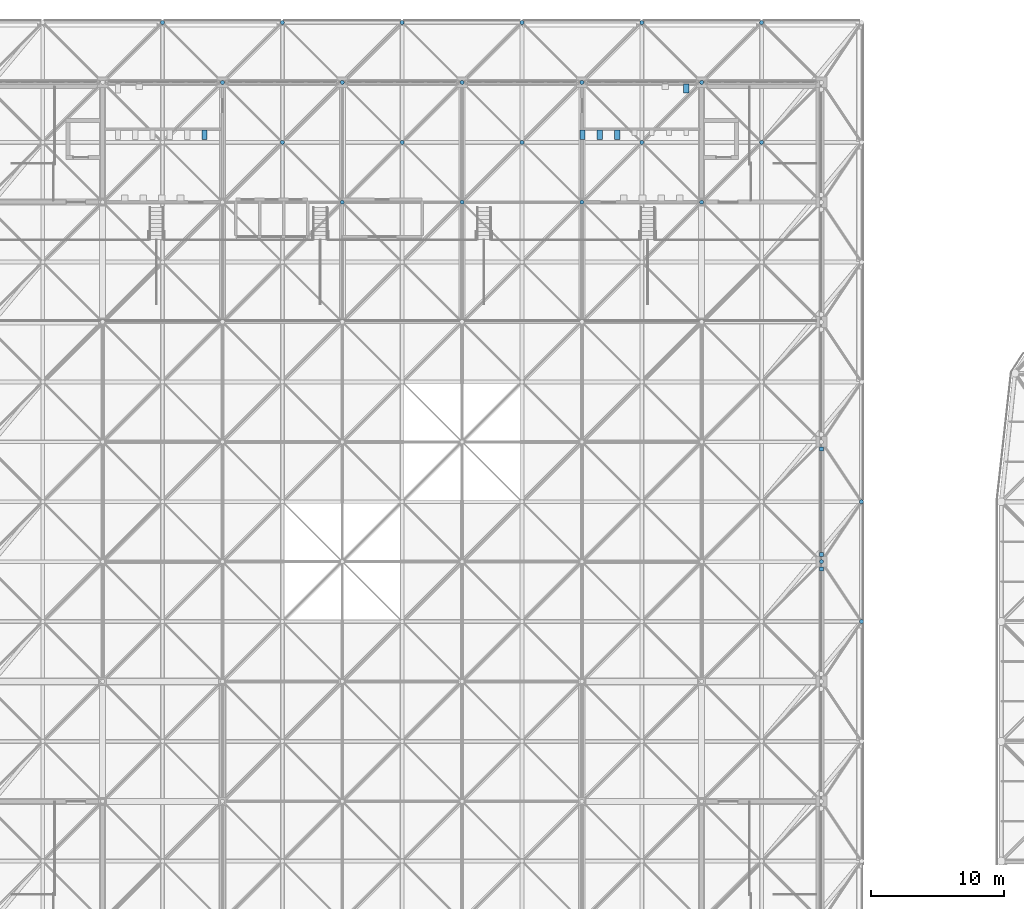
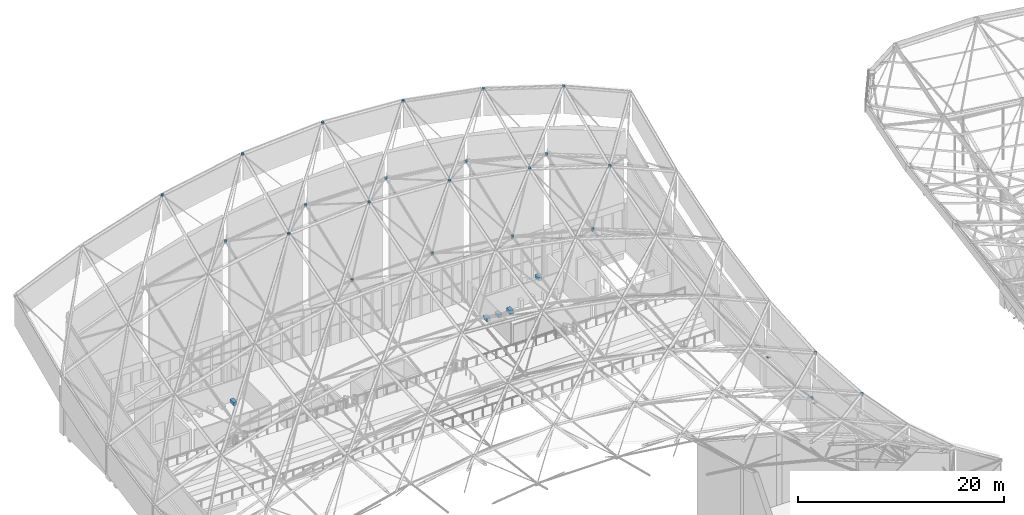
# One storey, part 381 of 437: 31 discrete accessories.
"""IFC4 building model written with IfcOpenShell, lengths in metres."""

from ifc_helpers import new_model, si_unit, direction, frame, origin, origin_2d, place, context, subcontext, project, spatial, polyline, rectangle, outline, extrude, material, layer, layer_set, type_object, element, save


model = new_model("IFC4")

# Units and contexts
model_context = context("Model", 3, precision=1e-05, world=origin(), true_north=direction((0.0, 1.0)))
body_context = subcontext(model_context, "Body", "Model", "MODEL_VIEW")
ifc_project = project(units=[si_unit("LENGTHUNIT", "METRE"), si_unit("AREAUNIT", "SQUARE_METRE"), si_unit("VOLUMEUNIT", "CUBIC_METRE"), si_unit("PLANEANGLEUNIT", "RADIAN"), si_unit("MASSUNIT", "GRAM", prefix="KILO")], contexts=[model_context])

# Site, building, storey
site_placement = place(None, origin())
site = spatial("IfcSite", under=ifc_project, at=site_placement, CompositionType="ELEMENT")
building_placement = place(site_placement, origin())
building = spatial("IfcBuilding", under=site, at=building_placement, Name="Opaline Strait Convention Centre", CompositionType="ELEMENT")
storey_placement = place(building_placement, frame((0.0, 0.0, 11.5)))
storey = spatial("IfcBuildingStorey", under=building, at=storey_placement, Name="L02", CompositionType="ELEMENT", Elevation=11.5)

# Discrete accessories
ifc_material_1 = material(Name="Steel Q355B", Category="steel")
ifc_layer = layer(ifc_material_1, 0.02001953125)
ifc_layer_set = layer_set([ifc_layer], Name="Steel Q355B")
discrete_accessory_type_1 = type_object("IfcDiscreteAccessoryType", Name="Cast-in anchor plate 300 x 300 x 20", PredefinedType="ANCHORPLATE", material=ifc_layer_set)
for number, where, z_axis, x_axis, name in (
    (1, (72.0, 143.4501953125, 3.671875), (0.0, 0.0, 1.0), (1.0, 0.0, 0.0), "Cast-in anchor plate at PWB1 web 8-4ac"),
    (2, (72.0, 144.5498046875, 3.608642578125), (0.0, 0.0, 1.0), (1.0, 0.0, 0.0), "Cast-in anchor plate at PWB1 web 8-4ad"),
    (3, (72.0, 152.4501953125, 3.608642578125), (0.0, 0.0, 1.0), (1.0, 0.0, 0.0), "Cast-in anchor plate at PWB1 web 8-5ac"),
):
    element("IfcDiscreteAccessory", number, at=place(storey_placement, frame(where, z_axis=z_axis, x_axis=x_axis)), inside=storey, type_object=discrete_accessory_type_1, Name=name, PredefinedType="ANCHORPLATE", context=body_context, shape_type="SweptSolid", body=[
        extrude(rectangle(XDim=0.300048828125, YDim=0.300048828125, at=origin_2d()), origin(), (0.0, 0.0, 1.0), 0.02001953125),
    ])
ifc_material_2 = material(Name="Cast steel ZG300-500H (300 MPa)", Category="steel")
discrete_accessory_type_2 = type_object("IfcDiscreteAccessoryType", Name="Shell node hub D300 cast steel", PredefinedType="USERDEFINED", material=ifc_material_2)
discrete_accessory_1_placement = place(storey_placement, frame((0.0, 0.0, 16.25439453125)))
element("IfcDiscreteAccessory", 4, at=discrete_accessory_1_placement, inside=storey, type_object=discrete_accessory_type_2, Name="PNH1 node hub B3-8", ObjectType="NODE HUB", PredefinedType="USERDEFINED", context=body_context, shape_type="SweptSolid", body=[
    extrude(outline(polyline([(27.14990234375, 180.02978515625), (27.127197265625, 180.0849609375), (27.0849609375, 180.127197265625), (27.02978515625, 180.14990234375), (26.97021484375, 180.14990234375), (26.9150390625, 180.127197265625), (26.872802734375, 180.0849609375), (26.85009765625, 180.02978515625), (26.85009765625, 179.97021484375), (26.872802734375, 179.9150390625), (26.9150390625, 179.872802734375), (26.97021484375, 179.85009765625), (27.02978515625, 179.85009765625), (27.0849609375, 179.872802734375), (27.127197265625, 179.9150390625), (27.14990234375, 179.97021484375), (27.14990234375, 180.02978515625)])), origin(), (0.0, 0.0, 1.0), 0.309814453125),
])
discrete_accessory_2_placement = place(storey_placement, frame((0.0, 0.0, 13.968505859375)))
element("IfcDiscreteAccessory", 5, at=discrete_accessory_2_placement, inside=storey, type_object=discrete_accessory_type_2, Name="PNH1 node hub B4-7", ObjectType="NODE HUB", PredefinedType="USERDEFINED", context=body_context, shape_type="SweptSolid", body=[
    extrude(outline(polyline([(36.14990234375, 171.02978515625), (36.127197265625, 171.0849609375), (36.0849609375, 171.127197265625), (36.02978515625, 171.14990234375), (35.97021484375, 171.14990234375), (35.9150390625, 171.127197265625), (35.872802734375, 171.0849609375), (35.85009765625, 171.02978515625), (35.85009765625, 170.97021484375), (35.872802734375, 170.9150390625), (35.9150390625, 170.872802734375), (35.97021484375, 170.85009765625), (36.02978515625, 170.85009765625), (36.0849609375, 170.872802734375), (36.127197265625, 170.9150390625), (36.14990234375, 170.97021484375), (36.14990234375, 171.02978515625)])), origin(), (0.0, 0.0, 1.0), 0.31005859375),
])
discrete_accessory_3_placement = place(storey_placement, frame((0.0, 0.0, 17.397216796875)))
element("IfcDiscreteAccessory", 6, at=discrete_accessory_3_placement, inside=storey, type_object=discrete_accessory_type_2, Name="PNH1 node hub B4-8", ObjectType="NODE HUB", PredefinedType="USERDEFINED", context=body_context, shape_type="SweptSolid", body=[
    extrude(outline(polyline([(36.14990234375, 180.02978515625), (36.127197265625, 180.0849609375), (36.0849609375, 180.127197265625), (36.02978515625, 180.14990234375), (35.97021484375, 180.14990234375), (35.9150390625, 180.127197265625), (35.872802734375, 180.0849609375), (35.85009765625, 180.02978515625), (35.85009765625, 179.97021484375), (35.872802734375, 179.9150390625), (35.9150390625, 179.872802734375), (35.97021484375, 179.85009765625), (36.02978515625, 179.85009765625), (36.0849609375, 179.872802734375), (36.127197265625, 179.9150390625), (36.14990234375, 179.97021484375), (36.14990234375, 180.02978515625)])), origin(), (0.0, 0.0, 1.0), 0.309814453125),
])
discrete_accessory_4_placement = place(storey_placement, frame((0.0, 0.0, 13.968505859375)))
element("IfcDiscreteAccessory", 7, at=discrete_accessory_4_placement, inside=storey, type_object=discrete_accessory_type_2, Name="PNH1 node hub B5-7", ObjectType="NODE HUB", PredefinedType="USERDEFINED", context=body_context, shape_type="SweptSolid", body=[
    extrude(outline(polyline([(45.14990234375, 171.02978515625), (45.127197265625, 171.0849609375), (45.0849609375, 171.127197265625), (45.02978515625, 171.14990234375), (44.97021484375, 171.14990234375), (44.9150390625, 171.127197265625), (44.872802734375, 171.0849609375), (44.85009765625, 171.02978515625), (44.85009765625, 170.97021484375), (44.872802734375, 170.9150390625), (44.9150390625, 170.872802734375), (44.97021484375, 170.85009765625), (45.02978515625, 170.85009765625), (45.0849609375, 170.872802734375), (45.127197265625, 170.9150390625), (45.14990234375, 170.97021484375), (45.14990234375, 171.02978515625)])), origin(), (0.0, 0.0, 1.0), 0.31005859375),
])
discrete_accessory_5_placement = place(storey_placement, frame((0.0, 0.0, 17.397216796875)))
element("IfcDiscreteAccessory", 8, at=discrete_accessory_5_placement, inside=storey, type_object=discrete_accessory_type_2, Name="PNH1 node hub B5-8", ObjectType="NODE HUB", PredefinedType="USERDEFINED", context=body_context, shape_type="SweptSolid", body=[
    extrude(outline(polyline([(45.14990234375, 180.02978515625), (45.127197265625, 180.0849609375), (45.0849609375, 180.127197265625), (45.02978515625, 180.14990234375), (44.97021484375, 180.14990234375), (44.9150390625, 180.127197265625), (44.872802734375, 180.0849609375), (44.85009765625, 180.02978515625), (44.85009765625, 179.97021484375), (44.872802734375, 179.9150390625), (44.9150390625, 179.872802734375), (44.97021484375, 179.85009765625), (45.02978515625, 179.85009765625), (45.0849609375, 179.872802734375), (45.127197265625, 179.9150390625), (45.14990234375, 179.97021484375), (45.14990234375, 180.02978515625)])), origin(), (0.0, 0.0, 1.0), 0.309814453125),
])
discrete_accessory_6_placement = place(storey_placement, frame((0.0, 0.0, 12.82568359375)))
element("IfcDiscreteAccessory", 9, at=discrete_accessory_6_placement, inside=storey, type_object=discrete_accessory_type_2, Name="PNH1 node hub B6-7", ObjectType="NODE HUB", PredefinedType="USERDEFINED", context=body_context, shape_type="SweptSolid", body=[
    extrude(outline(polyline([(54.14990234375, 171.02978515625), (54.127197265625, 171.0849609375), (54.0849609375, 171.127197265625), (54.02978515625, 171.14990234375), (53.97021484375, 171.14990234375), (53.9150390625, 171.127197265625), (53.872802734375, 171.0849609375), (53.85009765625, 171.02978515625), (53.85009765625, 170.97021484375), (53.872802734375, 170.9150390625), (53.9150390625, 170.872802734375), (53.97021484375, 170.85009765625), (54.02978515625, 170.85009765625), (54.0849609375, 170.872802734375), (54.127197265625, 170.9150390625), (54.14990234375, 170.97021484375), (54.14990234375, 171.02978515625)])), origin(), (0.0, 0.0, 1.0), 0.31005859375),
])
discrete_accessory_7_placement = place(storey_placement, frame((0.0, 0.0, 16.25439453125)))
element("IfcDiscreteAccessory", 10, at=discrete_accessory_7_placement, inside=storey, type_object=discrete_accessory_type_2, Name="PNH1 node hub B6-8", ObjectType="NODE HUB", PredefinedType="USERDEFINED", context=body_context, shape_type="SweptSolid", body=[
    extrude(outline(polyline([(54.14990234375, 180.02978515625), (54.127197265625, 180.0849609375), (54.0849609375, 180.127197265625), (54.02978515625, 180.14990234375), (53.97021484375, 180.14990234375), (53.9150390625, 180.127197265625), (53.872802734375, 180.0849609375), (53.85009765625, 180.02978515625), (53.85009765625, 179.97021484375), (53.872802734375, 179.9150390625), (53.9150390625, 179.872802734375), (53.97021484375, 179.85009765625), (54.02978515625, 179.85009765625), (54.0849609375, 179.872802734375), (54.127197265625, 179.9150390625), (54.14990234375, 179.97021484375), (54.14990234375, 180.02978515625)])), origin(), (0.0, 0.0, 1.0), 0.309814453125),
])
discrete_accessory_8_placement = place(storey_placement, frame((0.0, 0.0, 10.5400390625)))
element("IfcDiscreteAccessory", 11, at=discrete_accessory_8_placement, inside=storey, type_object=discrete_accessory_type_2, Name="PNH1 node hub B7-7", ObjectType="NODE HUB", PredefinedType="USERDEFINED", context=body_context, shape_type="SweptSolid", body=[
    extrude(outline(polyline([(63.14990234375, 171.02978515625), (63.127197265625, 171.0849609375), (63.0849609375, 171.127197265625), (63.02978515625, 171.14990234375), (62.97021484375, 171.14990234375), (62.9150390625, 171.127197265625), (62.872802734375, 171.0849609375), (62.85009765625, 171.02978515625), (62.85009765625, 170.97021484375), (62.872802734375, 170.9150390625), (62.9150390625, 170.872802734375), (62.97021484375, 170.85009765625), (63.02978515625, 170.85009765625), (63.0849609375, 170.872802734375), (63.127197265625, 170.9150390625), (63.14990234375, 170.97021484375), (63.14990234375, 171.02978515625)])), origin(), (0.0, 0.0, 1.0), 0.31005859375),
])
discrete_accessory_9_placement = place(storey_placement, frame((0.0, 0.0, 13.968505859375)))
element("IfcDiscreteAccessory", 12, at=discrete_accessory_9_placement, inside=storey, type_object=discrete_accessory_type_2, Name="PNH1 node hub B7-8", ObjectType="NODE HUB", PredefinedType="USERDEFINED", context=body_context, shape_type="SweptSolid", body=[
    extrude(outline(polyline([(63.14990234375, 180.02978515625), (63.127197265625, 180.0849609375), (63.0849609375, 180.127197265625), (63.02978515625, 180.14990234375), (62.97021484375, 180.14990234375), (62.9150390625, 180.127197265625), (62.872802734375, 180.0849609375), (62.85009765625, 180.02978515625), (62.85009765625, 179.97021484375), (62.872802734375, 179.9150390625), (62.9150390625, 179.872802734375), (62.97021484375, 179.85009765625), (63.02978515625, 179.85009765625), (63.0849609375, 179.872802734375), (63.127197265625, 179.9150390625), (63.14990234375, 179.97021484375), (63.14990234375, 180.02978515625)])), origin(), (0.0, 0.0, 1.0), 0.31005859375),
])
discrete_accessory_10_placement = place(storey_placement, frame((0.0, 0.0, 3.682861328125)))
element("IfcDiscreteAccessory", 13, at=discrete_accessory_10_placement, inside=storey, type_object=discrete_accessory_type_2, Name="PNH1 node hub B8-4", ObjectType="NODE HUB", PredefinedType="USERDEFINED", context=body_context, shape_type="SweptSolid", body=[
    extrude(outline(polyline([(72.14990234375, 144.02978515625), (72.127197265625, 144.0849609375), (72.0849609375, 144.127197265625), (72.02978515625, 144.14990234375), (71.97021484375, 144.14990234375), (71.9150390625, 144.127197265625), (71.872802734375, 144.0849609375), (71.85009765625, 144.02978515625), (71.85009765625, 143.97021484375), (71.872802734375, 143.9150390625), (71.9150390625, 143.872802734375), (71.97021484375, 143.85009765625), (72.02978515625, 143.85009765625), (72.0849609375, 143.872802734375), (72.127197265625, 143.9150390625), (72.14990234375, 143.97021484375), (72.14990234375, 144.02978515625)])), origin(), (0.0, 0.0, 1.0), 0.31005859375),
])
discrete_accessory_11_placement = place(storey_placement, frame((0.0, 0.0, 20.547119140625)))
element("IfcDiscreteAccessory", 14, at=discrete_accessory_11_placement, inside=storey, type_object=discrete_accessory_type_2, Name="PNH1 node hub T3-9", ObjectType="NODE HUB", PredefinedType="USERDEFINED", context=body_context, shape_type="SweptSolid", body=[
    extrude(outline(polyline([(22.64990234375, 184.52978515625), (22.627197265625, 184.5849609375), (22.5849609375, 184.627197265625), (22.52978515625, 184.64990234375), (22.47021484375, 184.64990234375), (22.4150390625, 184.627197265625), (22.372802734375, 184.5849609375), (22.35009765625, 184.52978515625), (22.35009765625, 184.47021484375), (22.372802734375, 184.4150390625), (22.4150390625, 184.372802734375), (22.47021484375, 184.35009765625), (22.52978515625, 184.35009765625), (22.5849609375, 184.372802734375), (22.627197265625, 184.4150390625), (22.64990234375, 184.47021484375), (22.64990234375, 184.52978515625)])), origin(), (0.0, 0.0, 1.0), 0.31005859375),
])
discrete_accessory_12_placement = place(storey_placement, frame((0.0, 0.0, 18.261474609375)))
element("IfcDiscreteAccessory", 15, at=discrete_accessory_12_placement, inside=storey, type_object=discrete_accessory_type_2, Name="PNH1 node hub T4-8", ObjectType="NODE HUB", PredefinedType="USERDEFINED", context=body_context, shape_type="SweptSolid", body=[
    extrude(outline(polyline([(31.64990234375, 175.52978515625), (31.627197265625, 175.5849609375), (31.5849609375, 175.627197265625), (31.52978515625, 175.64990234375), (31.47021484375, 175.64990234375), (31.4150390625, 175.627197265625), (31.372802734375, 175.5849609375), (31.35009765625, 175.52978515625), (31.35009765625, 175.47021484375), (31.372802734375, 175.4150390625), (31.4150390625, 175.372802734375), (31.47021484375, 175.35009765625), (31.52978515625, 175.35009765625), (31.5849609375, 175.372802734375), (31.627197265625, 175.4150390625), (31.64990234375, 175.47021484375), (31.64990234375, 175.52978515625)])), origin(), (0.0, 0.0, 1.0), 0.309814453125),
])
discrete_accessory_13_placement = place(storey_placement, frame((0.0, 0.0, 22.261474609375)))
element("IfcDiscreteAccessory", 16, at=discrete_accessory_13_placement, inside=storey, type_object=discrete_accessory_type_2, Name="PNH1 node hub T4-9", ObjectType="NODE HUB", PredefinedType="USERDEFINED", context=body_context, shape_type="SweptSolid", body=[
    extrude(outline(polyline([(31.64990234375, 184.52978515625), (31.627197265625, 184.5849609375), (31.5849609375, 184.627197265625), (31.52978515625, 184.64990234375), (31.47021484375, 184.64990234375), (31.4150390625, 184.627197265625), (31.372802734375, 184.5849609375), (31.35009765625, 184.52978515625), (31.35009765625, 184.47021484375), (31.372802734375, 184.4150390625), (31.4150390625, 184.372802734375), (31.47021484375, 184.35009765625), (31.52978515625, 184.35009765625), (31.5849609375, 184.372802734375), (31.627197265625, 184.4150390625), (31.64990234375, 184.47021484375), (31.64990234375, 184.52978515625)])), origin(), (0.0, 0.0, 1.0), 0.309814453125),
])
discrete_accessory_14_placement = place(storey_placement, frame((0.0, 0.0, 18.8330078125)))
element("IfcDiscreteAccessory", 17, at=discrete_accessory_14_placement, inside=storey, type_object=discrete_accessory_type_2, Name="PNH1 node hub T5-8", ObjectType="NODE HUB", PredefinedType="USERDEFINED", context=body_context, shape_type="SweptSolid", body=[
    extrude(outline(polyline([(40.64990234375, 175.52978515625), (40.627197265625, 175.5849609375), (40.5849609375, 175.627197265625), (40.52978515625, 175.64990234375), (40.47021484375, 175.64990234375), (40.4150390625, 175.627197265625), (40.372802734375, 175.5849609375), (40.35009765625, 175.52978515625), (40.35009765625, 175.47021484375), (40.372802734375, 175.4150390625), (40.4150390625, 175.372802734375), (40.47021484375, 175.35009765625), (40.52978515625, 175.35009765625), (40.5849609375, 175.372802734375), (40.627197265625, 175.4150390625), (40.64990234375, 175.47021484375), (40.64990234375, 175.52978515625)])), origin(), (0.0, 0.0, 1.0), 0.309814453125),
])
discrete_accessory_15_placement = place(storey_placement, frame((0.0, 0.0, 22.8330078125)))
element("IfcDiscreteAccessory", 18, at=discrete_accessory_15_placement, inside=storey, type_object=discrete_accessory_type_2, Name="PNH1 node hub T5-9", ObjectType="NODE HUB", PredefinedType="USERDEFINED", context=body_context, shape_type="SweptSolid", body=[
    extrude(outline(polyline([(40.64990234375, 184.52978515625), (40.627197265625, 184.5849609375), (40.5849609375, 184.627197265625), (40.52978515625, 184.64990234375), (40.47021484375, 184.64990234375), (40.4150390625, 184.627197265625), (40.372802734375, 184.5849609375), (40.35009765625, 184.52978515625), (40.35009765625, 184.47021484375), (40.372802734375, 184.4150390625), (40.4150390625, 184.372802734375), (40.47021484375, 184.35009765625), (40.52978515625, 184.35009765625), (40.5849609375, 184.372802734375), (40.627197265625, 184.4150390625), (40.64990234375, 184.47021484375), (40.64990234375, 184.52978515625)])), origin(), (0.0, 0.0, 1.0), 0.309814453125),
])
discrete_accessory_16_placement = place(storey_placement, frame((0.0, 0.0, 18.261474609375)))
element("IfcDiscreteAccessory", 19, at=discrete_accessory_16_placement, inside=storey, type_object=discrete_accessory_type_2, Name="PNH1 node hub T6-8", ObjectType="NODE HUB", PredefinedType="USERDEFINED", context=body_context, shape_type="SweptSolid", body=[
    extrude(outline(polyline([(49.64990234375, 175.52978515625), (49.627197265625, 175.5849609375), (49.5849609375, 175.627197265625), (49.52978515625, 175.64990234375), (49.47021484375, 175.64990234375), (49.4150390625, 175.627197265625), (49.372802734375, 175.5849609375), (49.35009765625, 175.52978515625), (49.35009765625, 175.47021484375), (49.372802734375, 175.4150390625), (49.4150390625, 175.372802734375), (49.47021484375, 175.35009765625), (49.52978515625, 175.35009765625), (49.5849609375, 175.372802734375), (49.627197265625, 175.4150390625), (49.64990234375, 175.47021484375), (49.64990234375, 175.52978515625)])), origin(), (0.0, 0.0, 1.0), 0.309814453125),
])
discrete_accessory_17_placement = place(storey_placement, frame((0.0, 0.0, 22.261474609375)))
element("IfcDiscreteAccessory", 20, at=discrete_accessory_17_placement, inside=storey, type_object=discrete_accessory_type_2, Name="PNH1 node hub T6-9", ObjectType="NODE HUB", PredefinedType="USERDEFINED", context=body_context, shape_type="SweptSolid", body=[
    extrude(outline(polyline([(49.64990234375, 184.52978515625), (49.627197265625, 184.5849609375), (49.5849609375, 184.627197265625), (49.52978515625, 184.64990234375), (49.47021484375, 184.64990234375), (49.4150390625, 184.627197265625), (49.372802734375, 184.5849609375), (49.35009765625, 184.52978515625), (49.35009765625, 184.47021484375), (49.372802734375, 184.4150390625), (49.4150390625, 184.372802734375), (49.47021484375, 184.35009765625), (49.52978515625, 184.35009765625), (49.5849609375, 184.372802734375), (49.627197265625, 184.4150390625), (49.64990234375, 184.47021484375), (49.64990234375, 184.52978515625)])), origin(), (0.0, 0.0, 1.0), 0.309814453125),
])
discrete_accessory_18_placement = place(storey_placement, frame((0.0, 0.0, 16.547119140625)))
element("IfcDiscreteAccessory", 21, at=discrete_accessory_18_placement, inside=storey, type_object=discrete_accessory_type_2, Name="PNH1 node hub T7-8", ObjectType="NODE HUB", PredefinedType="USERDEFINED", context=body_context, shape_type="SweptSolid", body=[
    extrude(outline(polyline([(58.64990234375, 175.52978515625), (58.627197265625, 175.5849609375), (58.5849609375, 175.627197265625), (58.52978515625, 175.64990234375), (58.47021484375, 175.64990234375), (58.4150390625, 175.627197265625), (58.372802734375, 175.5849609375), (58.35009765625, 175.52978515625), (58.35009765625, 175.47021484375), (58.372802734375, 175.4150390625), (58.4150390625, 175.372802734375), (58.47021484375, 175.35009765625), (58.52978515625, 175.35009765625), (58.5849609375, 175.372802734375), (58.627197265625, 175.4150390625), (58.64990234375, 175.47021484375), (58.64990234375, 175.52978515625)])), origin(), (0.0, 0.0, 1.0), 0.31005859375),
])
discrete_accessory_19_placement = place(storey_placement, frame((0.0, 0.0, 20.547119140625)))
element("IfcDiscreteAccessory", 22, at=discrete_accessory_19_placement, inside=storey, type_object=discrete_accessory_type_2, Name="PNH1 node hub T7-9", ObjectType="NODE HUB", PredefinedType="USERDEFINED", context=body_context, shape_type="SweptSolid", body=[
    extrude(outline(polyline([(58.64990234375, 184.52978515625), (58.627197265625, 184.5849609375), (58.5849609375, 184.627197265625), (58.52978515625, 184.64990234375), (58.47021484375, 184.64990234375), (58.4150390625, 184.627197265625), (58.372802734375, 184.5849609375), (58.35009765625, 184.52978515625), (58.35009765625, 184.47021484375), (58.372802734375, 184.4150390625), (58.4150390625, 184.372802734375), (58.47021484375, 184.35009765625), (58.52978515625, 184.35009765625), (58.5849609375, 184.372802734375), (58.627197265625, 184.4150390625), (58.64990234375, 184.47021484375), (58.64990234375, 184.52978515625)])), origin(), (0.0, 0.0, 1.0), 0.31005859375),
])
discrete_accessory_20_placement = place(storey_placement, frame((0.0, 0.0, 13.68994140625)))
element("IfcDiscreteAccessory", 23, at=discrete_accessory_20_placement, inside=storey, type_object=discrete_accessory_type_2, Name="PNH1 node hub T8-8", ObjectType="NODE HUB", PredefinedType="USERDEFINED", context=body_context, shape_type="SweptSolid", body=[
    extrude(outline(polyline([(67.64990234375, 175.52978515625), (67.627197265625, 175.5849609375), (67.5849609375, 175.627197265625), (67.52978515625, 175.64990234375), (67.47021484375, 175.64990234375), (67.4150390625, 175.627197265625), (67.372802734375, 175.5849609375), (67.35009765625, 175.52978515625), (67.35009765625, 175.47021484375), (67.372802734375, 175.4150390625), (67.4150390625, 175.372802734375), (67.47021484375, 175.35009765625), (67.52978515625, 175.35009765625), (67.5849609375, 175.372802734375), (67.627197265625, 175.4150390625), (67.64990234375, 175.47021484375), (67.64990234375, 175.52978515625)])), origin(), (0.0, 0.0, 1.0), 0.31005859375),
])
discrete_accessory_21_placement = place(storey_placement, frame((0.0, 0.0, 17.68994140625)))
element("IfcDiscreteAccessory", 24, at=discrete_accessory_21_placement, inside=storey, type_object=discrete_accessory_type_2, Name="PNH1 node hub T8-9", ObjectType="NODE HUB", PredefinedType="USERDEFINED", context=body_context, shape_type="SweptSolid", body=[
    extrude(outline(polyline([(67.64990234375, 184.52978515625), (67.627197265625, 184.5849609375), (67.5849609375, 184.627197265625), (67.52978515625, 184.64990234375), (67.47021484375, 184.64990234375), (67.4150390625, 184.627197265625), (67.372802734375, 184.5849609375), (67.35009765625, 184.52978515625), (67.35009765625, 184.47021484375), (67.372802734375, 184.4150390625), (67.4150390625, 184.372802734375), (67.47021484375, 184.35009765625), (67.52978515625, 184.35009765625), (67.5849609375, 184.372802734375), (67.627197265625, 184.4150390625), (67.64990234375, 184.47021484375), (67.64990234375, 184.52978515625)])), origin(), (0.0, 0.0, 1.0), 0.31005859375),
])
discrete_accessory_22_placement = place(storey_placement, frame((0.0, 0.0, 5.864501953125)))
element("IfcDiscreteAccessory", 25, at=discrete_accessory_22_placement, inside=storey, type_object=discrete_accessory_type_2, Name="PNH1 node hub T9-4", ObjectType="NODE HUB", PredefinedType="USERDEFINED", context=body_context, shape_type="SweptSolid", body=[
    extrude(outline(polyline([(75.14990234375, 139.52978515625), (75.127197265625, 139.5849609375), (75.0849609375, 139.627197265625), (75.02978515625, 139.64990234375), (74.97021484375, 139.64990234375), (74.9150390625, 139.627197265625), (74.872802734375, 139.5849609375), (74.85009765625, 139.52978515625), (74.85009765625, 139.47021484375), (74.872802734375, 139.4150390625), (74.9150390625, 139.372802734375), (74.97021484375, 139.35009765625), (75.02978515625, 139.35009765625), (75.0849609375, 139.372802734375), (75.127197265625, 139.4150390625), (75.14990234375, 139.47021484375), (75.14990234375, 139.52978515625)])), origin(), (0.0, 0.0, 1.0), 0.31005859375),
])
discrete_accessory_23_placement = place(storey_placement, frame((0.0, 0.0, 5.293212890625)))
element("IfcDiscreteAccessory", 26, at=discrete_accessory_23_placement, inside=storey, type_object=discrete_accessory_type_2, Name="PNH1 node hub T9-5", ObjectType="NODE HUB", PredefinedType="USERDEFINED", context=body_context, shape_type="SweptSolid", body=[
    extrude(outline(polyline([(75.14990234375, 148.52978515625), (75.127197265625, 148.5849609375), (75.0849609375, 148.627197265625), (75.02978515625, 148.64990234375), (74.97021484375, 148.64990234375), (74.9150390625, 148.627197265625), (74.872802734375, 148.5849609375), (74.85009765625, 148.52978515625), (74.85009765625, 148.47021484375), (74.872802734375, 148.4150390625), (74.9150390625, 148.372802734375), (74.97021484375, 148.35009765625), (75.02978515625, 148.35009765625), (75.0849609375, 148.372802734375), (75.127197265625, 148.4150390625), (75.14990234375, 148.47021484375), (75.14990234375, 148.52978515625)])), origin(), (0.0, 0.0, 1.0), 0.31005859375),
])
ifc_material_3 = material(Name="Vitreous china, white")
discrete_accessory_type_3 = type_object("IfcDiscreteAccessoryType", Name="WC pan 400 x 700", PredefinedType="USERDEFINED", material=ifc_material_3)
for number, where, z_axis, x_axis, name in (
    (27, (25.64990234375, 176.074951171875, 0.0), (0.0, 0.0, 1.0), (1.0, 0.0, 0.0), "PFX1 wc 06"),
    (28, (56.64990234375, 176.074951171875, 0.0), (0.0, 0.0, 1.0), (1.0, 0.0, 0.0), "PFX1 wc 05"),
    (29, (55.35009765625, 176.074951171875, 0.0), (0.0, 0.0, 1.0), (1.0, 0.0, 0.0), "PFX1 wc 06"),
    (30, (54.050048828125, 176.074951171875, 0.0), (0.0, 0.0, 1.0), (1.0, 0.0, 0.0), "PFX1 wc 07"),
    (31, (61.85009765625, 179.550048828125, 0.0), (0.0, 0.0, 1.0), (1.0, 0.0, 0.0), "PFX1 wc A1"),
):
    element("IfcDiscreteAccessory", number, at=place(storey_placement, frame(where, z_axis=z_axis, x_axis=x_axis)), inside=storey, type_object=discrete_accessory_type_3, Name=name, ObjectType="SANITARY FITTING", PredefinedType="USERDEFINED", context=body_context, shape_type="SweptSolid", body=[
        extrude(rectangle(XDim=0.39990234375, YDim=0.699951171875, at=origin_2d()), origin(), (0.0, 0.0, 1.0), 0.39990234375),
    ])

save(model, "model.ifc")
